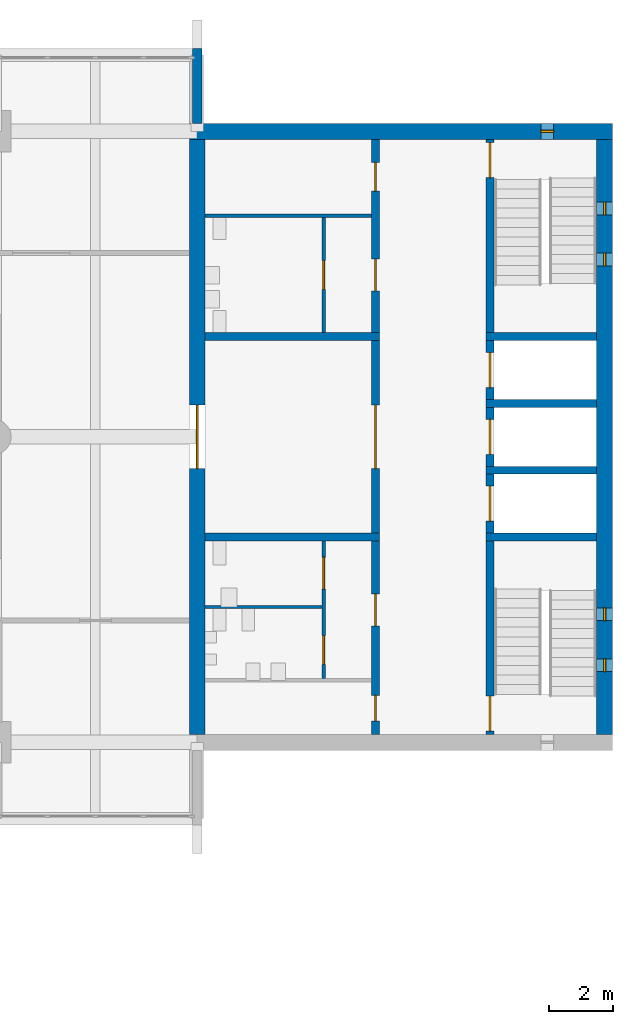
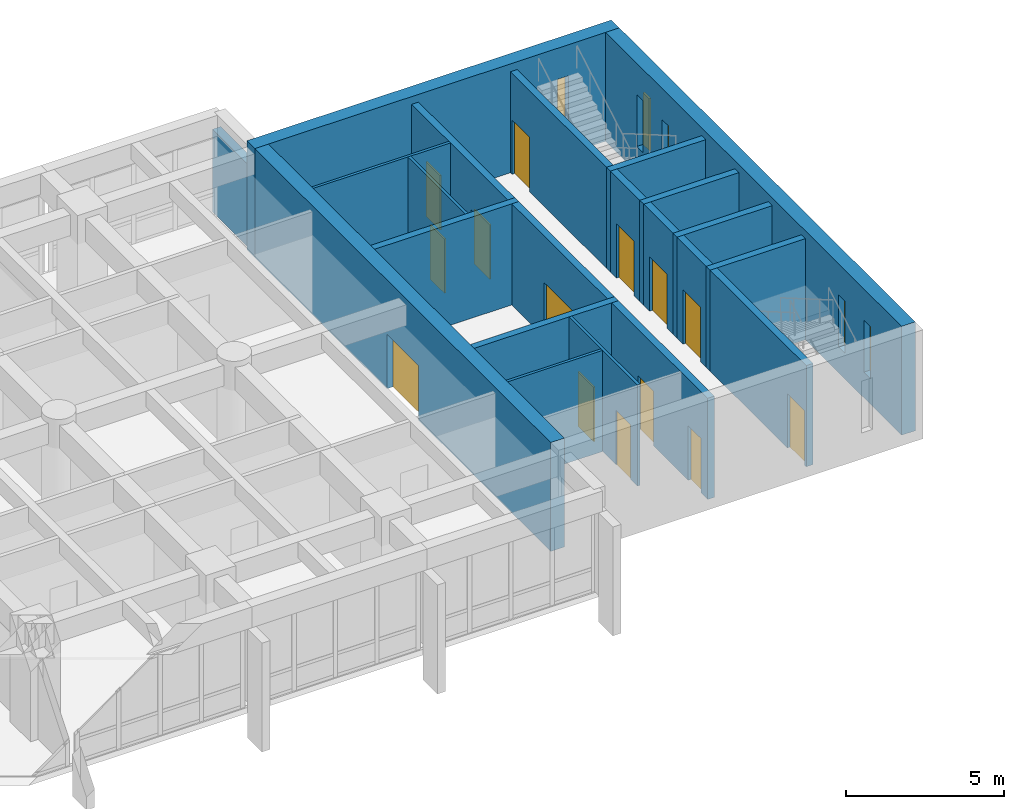
# One storey, part 13 of 18: 22 walls, 14 doors, 5 windows, 19 openings.
"""IFC4 building model written with IfcOpenShell, lengths in metres."""

from ifc_helpers import new_model, si_unit, direction, frame, frame_2d, origin, place, context, subcontext, project, spatial, rectangle, extrude, material, layer, layer_set, type_object, element, fill, save


model = new_model("IFC4")

# Units and contexts
model_context = context("Model", 3, precision=1e-05, world=origin(), true_north=direction((0.0, 1.0)))
body_context = subcontext(model_context, "Body", "Model", "MODEL_VIEW")
ifc_project = project(units=[si_unit("LENGTHUNIT", "METRE"), si_unit("AREAUNIT", "SQUARE_METRE"), si_unit("VOLUMEUNIT", "CUBIC_METRE"), si_unit("PLANEANGLEUNIT", "RADIAN"), si_unit("MASSUNIT", "GRAM", prefix="KILO")], contexts=[model_context])

# Site, building, storey
site_placement = place(None, origin())
site = spatial("IfcSite", under=ifc_project, at=site_placement, CompositionType="ELEMENT")
building_placement = place(site_placement, origin())
building = spatial("IfcBuilding", under=site, at=building_placement, Name="Fogon Plaza Fire Station and Headquarters Tower", CompositionType="ELEMENT")
storey_placement = place(building_placement, frame((0.0, 0.0, 12.89990234375)))
storey = spatial("IfcBuildingStorey", under=building, at=storey_placement, Name="L03", CompositionType="ELEMENT", Elevation=12.89990234375)

# Walls
ifc_material_1 = material(Name="Concrete C40", Category="concrete")
ifc_layer_1 = layer(ifc_material_1, 0.25)
ifc_layer_set_1 = layer_set([ifc_layer_1], Name="Concrete C40")
wall_type_1 = type_object("IfcWallType", Name="Core Wall RC 250", PredefinedType="SOLIDWALL", material=ifc_layer_set_1)
for number, where, z_axis, x_axis, name in (
    (1, (76.550048828125, 40.050048828125, 0.0), (0.0, 0.0, 1.0), (-1.0, 0.0, 0.0), "Core B shaft wall"),
    (2, (76.550048828125, 42.14990234375, 0.0), (0.0, 0.0, 1.0), (-1.0, 0.0, 0.0), "Core B shaft wall"),
    (3, (76.550048828125, 44.25, 0.0), (0.0, 0.0, 1.0), (-1.0, 0.0, 0.0), "Core B shaft wall"),
    (4, (76.550048828125, 46.35009765625, 0.0), (0.0, 0.0, 1.0), (-1.0, 0.0, 0.0), "Core B shaft wall"),
):
    element("IfcWall", number, at=place(storey_placement, frame(where, z_axis=z_axis, x_axis=x_axis)), inside=storey, type_object=wall_type_1, Name=name, PredefinedType="SOLIDWALL", context=body_context, shape_type="SweptSolid", body=[
        extrude(rectangle(XDim=3.47509765625, YDim=0.25, at=frame_2d((1.737548828125, 0.0))), origin(), (0.0, 0.0, 1.0), 3.900146484375),
    ])

# Wall, opening, door
wall_1_placement = place(storey_placement, frame((73.199951171875, 33.85009765625, 0.0), z_axis=(0.0, 0.0, 1.0), x_axis=(0.0, 1.0, 0.0)))
wall_1 = element("IfcWall", 5, at=wall_1_placement, inside=storey, type_object=wall_type_1, Name="Core B shaft wall", PredefinedType="SOLIDWALL", context=body_context, shape_type="SweptSolid", body=[
    extrude(rectangle(XDim=6.074951171875, YDim=0.25, at=frame_2d((3.03759765625, 0.0))), origin(), (0.0, 0.0, 1.0), 3.900146484375),
])
opening_1_placement = place(wall_1_placement, frame((0.10009765625, 0.0, 0.0)))
opening_1 = element("IfcOpeningElement", 6, at=opening_1_placement, cuts=wall_1, Name="Opening L03-D15", PredefinedType="OPENING", context=body_context, shape_type="SweptSolid", body=[
    extrude(rectangle(XDim=1.10009765625, YDim=2.10009765625, at=frame_2d((0.550048828125, 1.050048828125))), frame((0.0, 0.135009765625, 0.0), z_axis=(0.0, -1.0, 0.0), x_axis=(1.0, 0.0, 0.0)), (0.0, 0.0, 1.0), 0.27001953125),
])
ifc_material_2 = material(Name="Steel Fire Door Leaf", Category="steel")
door_type_1 = type_object("IfcDoorType", Name="Stair Door Single 1100x2100", OperationType="SINGLE_SWING_LEFT", PredefinedType="DOOR", material=ifc_material_2)
door_1_placement = place(opening_1_placement, frame((1.10009765625, 0.0, 0.0), z_axis=(0.0, 0.0, 1.0), x_axis=(-1.0, 0.0, 0.0)))
door_1 = element("IfcDoor", 7, at=door_1_placement, inside=storey, type_object=door_type_1, Name="Stair door ST3", OperationType="SINGLE_SWING_RIGHT", OverallHeight=2.10009765625, OverallWidth=1.10009765625, PredefinedType="DOOR", context=body_context, shape_type="SweptSolid", body=[
    extrude(rectangle(XDim=1.10009765625, YDim=2.10009765625, at=frame_2d((0.550048828125, 1.050048828125))), frame((0.0, 0.02490234375, 0.0), z_axis=(0.0, -1.0, 0.0), x_axis=(1.0, 0.0, 0.0)), (0.0, 0.0, 1.0), 0.050048828125),
])
fill(opening_1, door_1)

wall_2_placement = place(storey_placement, frame((73.199951171875, 40.175048828125, 0.0), z_axis=(0.0, 0.0, 1.0), x_axis=(0.0, 1.0, 0.0)))
wall_2 = element("IfcWall", 8, at=wall_2_placement, inside=storey, type_object=wall_type_1, Name="Core B shaft wall", PredefinedType="SOLIDWALL", context=body_context, shape_type="SweptSolid", body=[
    extrude(rectangle(XDim=1.849853515625, YDim=0.25, at=frame_2d((0.9248046875, 0.0))), origin(), (0.0, 0.0, 1.0), 3.900146484375),
])
opening_2_placement = place(wall_2_placement, frame((0.375, 0.0, 0.0)))
opening_2 = element("IfcOpeningElement", 9, at=opening_2_placement, cuts=wall_2, Name="Opening L03-D17", PredefinedType="OPENING", context=body_context, shape_type="SweptSolid", body=[
    extrude(rectangle(XDim=1.10009765625, YDim=2.10009765625, at=frame_2d((0.550048828125, 1.050048828125))), frame((0.0, 0.135009765625, 0.0), z_axis=(0.0, -1.0, 0.0), x_axis=(1.0, 0.0, 0.0)), (0.0, 0.0, 1.0), 0.27001953125),
])
ifc_material_3 = material(Name="Stainless Steel", Category="steel")
door_type_2 = type_object("IfcDoorType", Name="Lift Landing Door 1100x2100", OperationType="SLIDING_TO_LEFT", PredefinedType="DOOR", material=ifc_material_3)
door_2_placement = place(opening_2_placement, origin())
door_2 = element("IfcDoor", 10, at=door_2_placement, inside=storey, type_object=door_type_2, Name="Lift LP3 landing door", OperationType="SLIDING_TO_LEFT", OverallHeight=2.10009765625, OverallWidth=1.10009765625, PredefinedType="DOOR", context=body_context, shape_type="SweptSolid", body=[
    extrude(rectangle(XDim=1.10009765625, YDim=2.10009765625, at=frame_2d((0.550048828125, 1.050048828125))), frame((0.0, 0.02490234375, 0.0), z_axis=(0.0, -1.0, 0.0), x_axis=(1.0, 0.0, 0.0)), (0.0, 0.0, 1.0), 0.050048828125),
])
fill(opening_2, door_2)

wall_3_placement = place(storey_placement, frame((73.199951171875, 42.27490234375, 0.0), z_axis=(0.0, 0.0, 1.0), x_axis=(0.0, 1.0, 0.0)))
wall_3 = element("IfcWall", 11, at=wall_3_placement, inside=storey, type_object=wall_type_1, Name="Core B shaft wall", PredefinedType="SOLIDWALL", context=body_context, shape_type="SweptSolid", body=[
    extrude(rectangle(XDim=1.85009765625, YDim=0.25, at=frame_2d((0.925048828125, 0.0))), origin(), (0.0, 0.0, 1.0), 3.900146484375),
])
opening_3_placement = place(wall_3_placement, frame((0.375, 0.0, 0.0)))
opening_3 = element("IfcOpeningElement", 12, at=opening_3_placement, cuts=wall_3, Name="Opening L03-D18", PredefinedType="OPENING", context=body_context, shape_type="SweptSolid", body=[
    extrude(rectangle(XDim=1.10009765625, YDim=2.10009765625, at=frame_2d((0.550048828125, 1.050048828125))), frame((0.0, 0.135009765625, 0.0), z_axis=(0.0, -1.0, 0.0), x_axis=(1.0, 0.0, 0.0)), (0.0, 0.0, 1.0), 0.27001953125),
])
door_3_placement = place(opening_3_placement, origin())
door_3 = element("IfcDoor", 13, at=door_3_placement, inside=storey, type_object=door_type_2, Name="Lift LP4 landing door", OperationType="SLIDING_TO_LEFT", OverallHeight=2.10009765625, OverallWidth=1.10009765625, PredefinedType="DOOR", context=body_context, shape_type="SweptSolid", body=[
    extrude(rectangle(XDim=1.10009765625, YDim=2.10009765625, at=frame_2d((0.550048828125, 1.050048828125))), frame((0.0, 0.02490234375, 0.0), z_axis=(0.0, -1.0, 0.0), x_axis=(1.0, 0.0, 0.0)), (0.0, 0.0, 1.0), 0.050048828125),
])
fill(opening_3, door_3)

wall_4_placement = place(storey_placement, frame((73.199951171875, 44.375, 0.0), z_axis=(0.0, 0.0, 1.0), x_axis=(0.0, 1.0, 0.0)))
wall_4 = element("IfcWall", 14, at=wall_4_placement, inside=storey, type_object=wall_type_1, Name="Core B shaft wall", PredefinedType="SOLIDWALL", context=body_context, shape_type="SweptSolid", body=[
    extrude(rectangle(XDim=1.85009765625, YDim=0.25, at=frame_2d((0.925048828125, 0.0))), origin(), (0.0, 0.0, 1.0), 3.900146484375),
])
opening_4_placement = place(wall_4_placement, frame((0.375, 0.0, 0.0)))
opening_4 = element("IfcOpeningElement", 15, at=opening_4_placement, cuts=wall_4, Name="Opening L03-D19", PredefinedType="OPENING", context=body_context, shape_type="SweptSolid", body=[
    extrude(rectangle(XDim=1.10009765625, YDim=2.10009765625, at=frame_2d((0.550048828125, 1.050048828125))), frame((0.0, 0.135009765625, 0.0), z_axis=(0.0, -1.0, 0.0), x_axis=(1.0, 0.0, 0.0)), (0.0, 0.0, 1.0), 0.27001953125),
])
door_4_placement = place(opening_4_placement, origin())
door_4 = element("IfcDoor", 16, at=door_4_placement, inside=storey, type_object=door_type_2, Name="Lift FL2 landing door", OperationType="SLIDING_TO_LEFT", OverallHeight=2.10009765625, OverallWidth=1.10009765625, PredefinedType="DOOR", context=body_context, shape_type="SweptSolid", body=[
    extrude(rectangle(XDim=1.10009765625, YDim=2.10009765625, at=frame_2d((0.550048828125, 1.050048828125))), frame((0.0, 0.02490234375, 0.0), z_axis=(0.0, -1.0, 0.0), x_axis=(1.0, 0.0, 0.0)), (0.0, 0.0, 1.0), 0.050048828125),
])
fill(opening_4, door_4)

wall_5_placement = place(storey_placement, frame((73.199951171875, 46.47509765625, 0.0), z_axis=(0.0, 0.0, 1.0), x_axis=(0.0, 1.0, 0.0)))
wall_5 = element("IfcWall", 17, at=wall_5_placement, inside=storey, type_object=wall_type_1, Name="Core B shaft wall", PredefinedType="SOLIDWALL", context=body_context, shape_type="SweptSolid", body=[
    extrude(rectangle(XDim=6.074951171875, YDim=0.25, at=frame_2d((3.03759765625, 0.0))), origin(), (0.0, 0.0, 1.0), 3.900146484375),
])
opening_5_placement = place(wall_5_placement, frame((4.875, 0.0, 0.0)))
opening_5 = element("IfcOpeningElement", 18, at=opening_5_placement, cuts=wall_5, Name="Opening L03-D16", PredefinedType="OPENING", context=body_context, shape_type="SweptSolid", body=[
    extrude(rectangle(XDim=1.10009765625, YDim=2.10009765625, at=frame_2d((0.550048828125, 1.050048828125))), frame((0.0, 0.135009765625, 0.0), z_axis=(0.0, -1.0, 0.0), x_axis=(1.0, 0.0, 0.0)), (0.0, 0.0, 1.0), 0.27001953125),
])
door_5_placement = place(opening_5_placement, frame((1.10009765625, 0.0, 0.0), z_axis=(0.0, 0.0, 1.0), x_axis=(-1.0, 0.0, 0.0)))
door_5 = element("IfcDoor", 19, at=door_5_placement, inside=storey, type_object=door_type_1, Name="Stair door ST4", OperationType="SINGLE_SWING_LEFT", OverallHeight=2.10009765625, OverallWidth=1.10009765625, PredefinedType="DOOR", context=body_context, shape_type="SweptSolid", body=[
    extrude(rectangle(XDim=1.10009765625, YDim=2.10009765625, at=frame_2d((0.550048828125, 1.050048828125))), frame((0.0, 0.02490234375, 0.0), z_axis=(0.0, -1.0, 0.0), x_axis=(1.0, 0.0, 0.0)), (0.0, 0.0, 1.0), 0.050048828125),
])
fill(opening_5, door_5)

# Wall, openings, doors
wall_6_placement = place(storey_placement, frame((69.60009765625, 33.85009765625, 0.0), z_axis=(0.0, 0.0, 1.0), x_axis=(0.0, 1.0, 0.0)))
wall_6 = element("IfcWall", 20, at=wall_6_placement, inside=storey, type_object=wall_type_1, Name="Core B shaft wall", PredefinedType="SOLIDWALL", context=body_context, shape_type="SweptSolid", body=[
    extrude(rectangle(XDim=6.074951171875, YDim=0.25, at=frame_2d((3.03759765625, 0.0))), origin(), (0.0, 0.0, 1.0), 3.900146484375),
])
opening_6_placement = place(wall_6_placement, frame((0.425048828125, 0.0, 0.0)))
opening_6 = element("IfcOpeningElement", 21, at=opening_6_placement, cuts=wall_6, Name="Opening L03-D22", PredefinedType="OPENING", context=body_context, shape_type="SweptSolid", body=[
    extrude(rectangle(XDim=0.800048828125, YDim=2.10009765625, at=frame_2d((0.39990234375, 1.050048828125))), frame((0.0, 0.135009765625, 0.0), z_axis=(0.0, -1.0, 0.0), x_axis=(1.0, 0.0, 0.0)), (0.0, 0.0, 1.0), 0.27001953125),
])
opening_7_placement = place(wall_6_placement, frame((3.41259765625, 0.0, 0.0)))
opening_7 = element("IfcOpeningElement", 22, at=opening_7_placement, cuts=wall_6, Name="Opening L03-D23", PredefinedType="OPENING", context=body_context, shape_type="SweptSolid", body=[
    extrude(rectangle(XDim=1.0, YDim=2.10009765625, at=frame_2d((0.5, 1.050048828125))), frame((0.0, 0.135009765625, 0.0), z_axis=(0.0, -1.0, 0.0), x_axis=(1.0, 0.0, 0.0)), (0.0, 0.0, 1.0), 0.27001953125),
])
ifc_material_4 = material(Name="Timber Door Leaf", Category="wood")
door_type_3 = type_object("IfcDoorType", Name="Cleaner Store Single 800x2100", OperationType="SINGLE_SWING_LEFT", PredefinedType="DOOR", material=ifc_material_4)
door_6_placement = place(opening_6_placement, origin())
door_6 = element("IfcDoor", 23, at=door_6_placement, inside=storey, type_object=door_type_3, Name="Cleaner's store B door", OperationType="SINGLE_SWING_RIGHT", OverallHeight=2.10009765625, OverallWidth=0.800048828125, PredefinedType="DOOR", context=body_context, shape_type="SweptSolid", body=[
    extrude(rectangle(XDim=0.800048828125, YDim=2.10009765625, at=frame_2d((0.39990234375, 1.050048828125))), frame((0.0, 0.02490234375, 0.0), z_axis=(0.0, -1.0, 0.0), x_axis=(1.0, 0.0, 0.0)), (0.0, 0.0, 1.0), 0.050048828125),
])
fill(opening_6, door_6)
ifc_material_5 = material(Name="Timber fire door", Category="wood")
door_type_4 = type_object("IfcDoorType", Name="WC Lobby Single 1000x2100", OperationType="SINGLE_SWING_LEFT", PredefinedType="DOOR", material=ifc_material_5)
door_7_placement = place(opening_7_placement, origin())
door_7 = element("IfcDoor", 24, at=door_7_placement, inside=storey, type_object=door_type_4, Name="Men's WC lobby B door", OperationType="SINGLE_SWING_LEFT", OverallHeight=2.10009765625, OverallWidth=1.0, PredefinedType="DOOR", context=body_context, shape_type="SweptSolid", body=[
    extrude(rectangle(XDim=1.0, YDim=2.10009765625, at=frame_2d((0.5, 1.050048828125))), frame((0.0, 0.02490234375, 0.0), z_axis=(0.0, -1.0, 0.0), x_axis=(1.0, 0.0, 0.0)), (0.0, 0.0, 1.0), 0.050048828125),
])
fill(opening_7, door_7)

# Wall, opening, door
wall_7_placement = place(storey_placement, frame((69.60009765625, 40.175048828125, 0.0), z_axis=(0.0, 0.0, 1.0), x_axis=(0.0, 1.0, 0.0)))
wall_7 = element("IfcWall", 25, at=wall_7_placement, inside=storey, type_object=wall_type_1, Name="Core B shaft wall", PredefinedType="SOLIDWALL", context=body_context, shape_type="SweptSolid", body=[
    extrude(rectangle(XDim=6.050048828125, YDim=0.25, at=frame_2d((3.02490234375, 0.0))), origin(), (0.0, 0.0, 1.0), 3.900146484375),
])
opening_8_placement = place(wall_7_placement, frame((2.02490234375, 0.0, 0.0)))
opening_8 = element("IfcOpeningElement", 26, at=opening_8_placement, cuts=wall_7, Name="Opening L03-D20", PredefinedType="OPENING", context=body_context, shape_type="SweptSolid", body=[
    extrude(rectangle(XDim=2.0, YDim=2.10009765625, at=frame_2d((1.0, 1.050048828125))), frame((0.0, 0.135009765625, 0.0), z_axis=(0.0, -1.0, 0.0), x_axis=(1.0, 0.0, 0.0)), (0.0, 0.0, 1.0), 0.27001953125),
])
ifc_material_6 = material(Name="Steel Fire Door Leaf", Category="steel")
door_type_5 = type_object("IfcDoorType", Name="Vestibule Double 2000x2100", OperationType="DOUBLE_DOOR_SINGLE_SWING", PredefinedType="DOOR", material=ifc_material_6)
door_8_placement = place(opening_8_placement, origin())
door_8 = element("IfcDoor", 27, at=door_8_placement, inside=storey, type_object=door_type_5, Name="Vestibule B door", OperationType="DOUBLE_DOOR_SINGLE_SWING", OverallHeight=2.10009765625, OverallWidth=2.0, PredefinedType="DOOR", context=body_context, shape_type="SweptSolid", body=[
    extrude(rectangle(XDim=2.0, YDim=2.10009765625, at=frame_2d((1.0, 1.050048828125))), frame((0.0, 0.02490234375, 0.0), z_axis=(0.0, -1.0, 0.0), x_axis=(1.0, 0.0, 0.0)), (0.0, 0.0, 1.0), 0.050048828125),
])
fill(opening_8, door_8)

# Wall, openings, doors
wall_8_placement = place(storey_placement, frame((69.60009765625, 46.47509765625, 0.0), z_axis=(0.0, 0.0, 1.0), x_axis=(0.0, 1.0, 0.0)))
wall_8 = element("IfcWall", 28, at=wall_8_placement, inside=storey, type_object=wall_type_1, Name="Core B shaft wall", PredefinedType="SOLIDWALL", context=body_context, shape_type="SweptSolid", body=[
    extrude(rectangle(XDim=6.074951171875, YDim=0.25, at=frame_2d((3.03759765625, 0.0))), origin(), (0.0, 0.0, 1.0), 3.900146484375),
])
opening_9_placement = place(wall_8_placement, frame((1.3125, 0.0, 0.0)))
opening_9 = element("IfcOpeningElement", 29, at=opening_9_placement, cuts=wall_8, Name="Opening L03-D26", PredefinedType="OPENING", context=body_context, shape_type="SweptSolid", body=[
    extrude(rectangle(XDim=1.0, YDim=2.10009765625, at=frame_2d((0.5, 1.050048828125))), frame((0.0, 0.135009765625, 0.0), z_axis=(0.0, -1.0, 0.0), x_axis=(1.0, 0.0, 0.0)), (0.0, 0.0, 1.0), 0.27001953125),
])
opening_10_placement = place(wall_8_placement, frame((4.449951171875, 0.0, 0.0)))
opening_10 = element("IfcOpeningElement", 30, at=opening_10_placement, cuts=wall_8, Name="Opening L03-D28", PredefinedType="OPENING", context=body_context, shape_type="SweptSolid", body=[
    extrude(rectangle(XDim=0.89990234375, YDim=2.10009765625, at=frame_2d((0.449951171875, 1.050048828125))), frame((0.0, 0.135009765625, 0.0), z_axis=(0.0, -1.0, 0.0), x_axis=(1.0, 0.0, 0.0)), (0.0, 0.0, 1.0), 0.27001953125),
])
ifc_material_7 = material(Name="Steel Fire Door Leaf", Category="steel")
door_type_6 = type_object("IfcDoorType", Name="Riser Single 900x2100", OperationType="SINGLE_SWING_LEFT", PredefinedType="DOOR", material=ifc_material_7)
door_9_placement = place(opening_10_placement, origin())
door_9 = element("IfcDoor", 31, at=door_9_placement, inside=storey, type_object=door_type_6, Name="Riser room B door", OperationType="SINGLE_SWING_RIGHT", OverallHeight=2.10009765625, OverallWidth=0.89990234375, PredefinedType="DOOR", context=body_context, shape_type="SweptSolid", body=[
    extrude(rectangle(XDim=0.89990234375, YDim=2.10009765625, at=frame_2d((0.449951171875, 1.050048828125))), frame((0.0, 0.02490234375, 0.0), z_axis=(0.0, -1.0, 0.0), x_axis=(1.0, 0.0, 0.0)), (0.0, 0.0, 1.0), 0.050048828125),
])
fill(opening_10, door_9)
door_10_placement = place(opening_9_placement, origin())
door_10 = element("IfcDoor", 32, at=door_10_placement, inside=storey, type_object=door_type_4, Name="Women's WC lobby B door", OperationType="SINGLE_SWING_RIGHT", OverallHeight=2.10009765625, OverallWidth=1.0, PredefinedType="DOOR", context=body_context, shape_type="SweptSolid", body=[
    extrude(rectangle(XDim=1.0, YDim=2.10009765625, at=frame_2d((0.5, 1.050048828125))), frame((0.0, 0.02490234375, 0.0), z_axis=(0.0, -1.0, 0.0), x_axis=(1.0, 0.0, 0.0)), (0.0, 0.0, 1.0), 0.050048828125),
])
fill(opening_9, door_10)

# Walls
for number, where, z_axis, x_axis, name in (
    (33, (69.72509765625, 40.050048828125, 0.0), (0.0, 0.0, 1.0), (-1.0, 0.0, 0.0), "Core B shaft wall"),
    (34, (69.72509765625, 46.35009765625, 0.0), (0.0, 0.0, 1.0), (-1.0, 0.0, 0.0), "Core B shaft wall"),
):
    element("IfcWall", number, at=place(storey_placement, frame(where, z_axis=z_axis, x_axis=x_axis)), inside=storey, type_object=wall_type_1, Name=name, PredefinedType="SOLIDWALL", context=body_context, shape_type="SweptSolid", body=[
        extrude(rectangle(XDim=5.47509765625, YDim=0.25, at=frame_2d((2.737548828125, 0.0))), origin(), (0.0, 0.0, 1.0), 3.900146484375),
    ])
ifc_material_8 = material(Name="Concrete C40", Category="concrete")
ifc_layer_2 = layer(ifc_material_8, 0.300048828125)
ifc_layer_set_2 = layer_set([ifc_layer_2], Name="Concrete C40")
wall_type_2 = type_object("IfcWallType", Name="Fair-faced RC Return Panel 300", PredefinedType="SOLIDWALL", material=ifc_layer_set_2)
wall_9_placement = place(storey_placement, frame((64.0, 53.050048828125, 0.0), z_axis=(0.0, 0.0, 1.0), x_axis=(0.0, 1.0, 0.0)))
element("IfcWall", 35, at=wall_9_placement, inside=storey, type_object=wall_type_2, Name="Bar end return EN L03", PredefinedType="SOLIDWALL", context=body_context, shape_type="SweptSolid", body=[
    extrude(rectangle(XDim=2.349853515625, YDim=0.300048828125, at=frame_2d((1.1748046875, 0.0))), origin(), (0.0, 0.0, 1.0), 3.18017578125),
])

# Wall, openings, doors
ifc_material_9 = material(Name="Blockwork", Category="masonry")
ifc_layer_3 = layer(ifc_material_9, 0.10009765625)
ifc_layer_set_3 = layer_set([ifc_layer_3], Name="Blockwork")
wall_type_3 = type_object("IfcWallType", Name="Partition Blockwork 100", PredefinedType="PARTITIONING", material=ifc_layer_set_3)
wall_10_placement = place(storey_placement, frame((67.97509765625, 35.60009765625, 0.0), z_axis=(0.0, 0.0, 1.0), x_axis=(0.0, 1.0, 0.0)))
wall_10 = element("IfcWall", 36, at=wall_10_placement, inside=storey, type_object=wall_type_3, Name="WC block partition", PredefinedType="PARTITIONING", context=body_context, shape_type="SweptSolid", body=[
    extrude(rectangle(XDim=4.324951171875, YDim=0.10009765625, at=frame_2d((2.16259765625, 0.0))), origin(), (0.0, 0.0, 1.0), 3.900146484375),
])
opening_11_placement = place(wall_10_placement, frame((0.449951171875, 0.0, 0.0)))
opening_11 = element("IfcOpeningElement", 37, at=opening_11_placement, cuts=wall_10, Name="Opening L03-D24", PredefinedType="OPENING", context=body_context, shape_type="SweptSolid", body=[
    extrude(rectangle(XDim=0.89990234375, YDim=2.10009765625, at=frame_2d((0.449951171875, 1.050048828125))), frame((0.0, 0.06005859375, 0.0), z_axis=(0.0, -1.0, 0.0), x_axis=(1.0, 0.0, 0.0)), (0.0, 0.0, 1.0), 0.1201171875),
])
opening_12_placement = place(wall_10_placement, frame((2.8125, 0.0, 0.0)))
opening_12 = element("IfcOpeningElement", 38, at=opening_12_placement, cuts=wall_10, Name="Opening L03-D25", PredefinedType="OPENING", context=body_context, shape_type="SweptSolid", body=[
    extrude(rectangle(XDim=1.0, YDim=2.10009765625, at=frame_2d((0.5, 1.050048828125))), frame((0.0, 0.06005859375, 0.0), z_axis=(0.0, -1.0, 0.0), x_axis=(1.0, 0.0, 0.0)), (0.0, 0.0, 1.0), 0.1201171875),
])
ifc_material_10 = material(Name="Timber Door Leaf", Category="wood")
door_type_7 = type_object("IfcDoorType", Name="Accessible WC Single 1000x2100", OperationType="SINGLE_SWING_LEFT", PredefinedType="DOOR", material=ifc_material_10)
door_11_placement = place(opening_12_placement, origin())
door_11 = element("IfcDoor", 39, at=door_11_placement, inside=storey, type_object=door_type_7, Name="Accessible WC B door", OperationType="SINGLE_SWING_LEFT", OverallHeight=2.10009765625, OverallWidth=1.0, PredefinedType="DOOR", context=body_context, shape_type="SweptSolid", body=[
    extrude(rectangle(XDim=1.0, YDim=2.10009765625, at=frame_2d((0.5, 1.050048828125))), frame((0.0, 0.02490234375, 0.0), z_axis=(0.0, -1.0, 0.0), x_axis=(1.0, 0.0, 0.0)), (0.0, 0.0, 1.0), 0.050048828125),
])
fill(opening_12, door_11)
ifc_material_11 = material(Name="Timber Door Leaf", Category="wood")
door_type_8 = type_object("IfcDoorType", Name="WC Single 900x2100", OperationType="SINGLE_SWING_LEFT", PredefinedType="DOOR", material=ifc_material_11)
door_12_placement = place(opening_11_placement, origin())
door_12 = element("IfcDoor", 40, at=door_12_placement, inside=storey, type_object=door_type_8, Name="Men's WC B door", OperationType="SINGLE_SWING_LEFT", OverallHeight=2.10009765625, OverallWidth=0.89990234375, PredefinedType="DOOR", context=body_context, shape_type="SweptSolid", body=[
    extrude(rectangle(XDim=0.89990234375, YDim=2.10009765625, at=frame_2d((0.449951171875, 1.050048828125))), frame((0.0, 0.02490234375, 0.0), z_axis=(0.0, -1.0, 0.0), x_axis=(1.0, 0.0, 0.0)), (0.0, 0.0, 1.0), 0.050048828125),
])
fill(opening_11, door_12)

# Wall
wall_11_placement = place(storey_placement, frame((67.925048828125, 37.85009765625, 0.0), z_axis=(0.0, 0.0, 1.0), x_axis=(-1.0, 0.0, 0.0)))
element("IfcWall", 41, at=wall_11_placement, inside=storey, type_object=wall_type_3, Name="WC block partition", PredefinedType="PARTITIONING", context=body_context, shape_type="SweptSolid", body=[
    extrude(rectangle(XDim=3.675048828125, YDim=0.10009765625, at=frame_2d((1.83740234375, 0.0))), origin(), (0.0, 0.0, 1.0), 3.900146484375),
])

# Wall, opening, door
wall_12_placement = place(storey_placement, frame((67.97509765625, 46.47509765625, 0.0), z_axis=(0.0, 0.0, 1.0), x_axis=(0.0, 1.0, 0.0)))
wall_12 = element("IfcWall", 42, at=wall_12_placement, inside=storey, type_object=wall_type_3, Name="WC block partition", PredefinedType="PARTITIONING", context=body_context, shape_type="SweptSolid", body=[
    extrude(rectangle(XDim=3.625, YDim=0.10009765625, at=frame_2d((1.8125, 0.0))), origin(), (0.0, 0.0, 1.0), 3.900146484375),
])
opening_13_placement = place(wall_12_placement, frame((1.362548828125, 0.0, 0.0)))
opening_13 = element("IfcOpeningElement", 43, at=opening_13_placement, cuts=wall_12, Name="Opening L03-D27", PredefinedType="OPENING", context=body_context, shape_type="SweptSolid", body=[
    extrude(rectangle(XDim=0.89990234375, YDim=2.10009765625, at=frame_2d((0.449951171875, 1.050048828125))), frame((0.0, 0.06005859375, 0.0), z_axis=(0.0, -1.0, 0.0), x_axis=(1.0, 0.0, 0.0)), (0.0, 0.0, 1.0), 0.1201171875),
])
door_13_placement = place(opening_13_placement, origin())
door_13 = element("IfcDoor", 44, at=door_13_placement, inside=storey, type_object=door_type_8, Name="Women's WC B door", OperationType="SINGLE_SWING_LEFT", OverallHeight=2.10009765625, OverallWidth=0.89990234375, PredefinedType="DOOR", context=body_context, shape_type="SweptSolid", body=[
    extrude(rectangle(XDim=0.89990234375, YDim=2.10009765625, at=frame_2d((0.449951171875, 1.050048828125))), frame((0.0, 0.02490234375, 0.0), z_axis=(0.0, -1.0, 0.0), x_axis=(1.0, 0.0, 0.0)), (0.0, 0.0, 1.0), 0.050048828125),
])
fill(opening_13, door_13)

# Wall
ifc_material_12 = material(Name="Blockwork", Category="masonry")
ifc_layer_4 = layer(ifc_material_12, 0.10009765625)
ifc_layer_set_4 = layer_set([ifc_layer_4], Name="Blockwork")
wall_type_4 = type_object("IfcWallType", Name="Riser Partition Blockwork 100", PredefinedType="PARTITIONING", material=ifc_layer_set_4)
wall_13_placement = place(storey_placement, frame((69.47509765625, 50.14990234375, 0.0), z_axis=(0.0, 0.0, 1.0), x_axis=(-1.0, 0.0, 0.0)))
element("IfcWall", 45, at=wall_13_placement, inside=storey, type_object=wall_type_4, Name="Riser room partition", PredefinedType="PARTITIONING", context=body_context, shape_type="SweptSolid", body=[
    extrude(rectangle(XDim=5.22509765625, YDim=0.10009765625, at=frame_2d((2.612548828125, 0.0))), origin(), (0.0, 0.0, 1.0), 3.900146484375),
])

# Wall, opening, window
ifc_material_13 = material(Name="Concrete C40", Category="concrete")
ifc_layer_5 = layer(ifc_material_13, 0.5)
ifc_layer_set_5 = layer_set([ifc_layer_5], Name="Concrete C40")
wall_type_5 = type_object("IfcWallType", Name="Shear wall 500 SW50", PredefinedType="SHEAR", material=ifc_layer_set_5)
wall_14_placement = place(storey_placement, frame((63.75, 52.800048828125, 0.0), z_axis=(0.0, 0.0, 1.0), x_axis=(1.0, 0.0, 0.0)))
wall_14 = element("IfcWall", 46, at=wall_14_placement, inside=storey, type_object=wall_type_5, Name="wall-coreB-N-L03", PredefinedType="SHEAR", context=body_context, shape_type="SweptSolid", body=[
    extrude(rectangle(XDim=13.300048828125, YDim=0.5, at=frame_2d((6.64990234375, 0.0))), origin(), (0.0, 0.0, 1.0), 4.2001953125),
])
opening_14_placement = place(wall_14_placement, frame((11.050048828125, 0.0, 1.0)))
opening_14 = element("IfcOpeningElement", 47, at=opening_14_placement, cuts=wall_14, Name="Opening WS1", PredefinedType="OPENING", context=body_context, shape_type="SweptSolid", body=[
    extrude(rectangle(XDim=0.39990234375, YDim=2.0, at=frame_2d((0.199951171875, 1.0))), frame((0.0, 0.260009765625, 0.0), z_axis=(0.0, -1.0, 0.0), x_axis=(1.0, 0.0, 0.0)), (0.0, 0.0, 1.0), 0.52001953125),
])
ifc_material_14 = material(Name="Aluminium framed double glazing", Category="aluminium")
window_type = type_object("IfcWindowType", Name="Slit Window WS1 400x2000", PartitioningType="SINGLE_PANEL", PredefinedType="WINDOW", material=ifc_material_14)
window_1_placement = place(opening_14_placement, origin())
window_1 = element("IfcWindow", 48, at=window_1_placement, inside=storey, type_object=window_type, Name="Slit window B6 L03", OverallHeight=2.0, OverallWidth=0.39990234375, PartitioningType="SINGLE_PANEL", PredefinedType="WINDOW", context=body_context, shape_type="SweptSolid", body=[
    extrude(rectangle(XDim=0.39990234375, YDim=2.0, at=frame_2d((0.199951171875, 1.0))), frame((0.0, 0.030029296875, 0.0), z_axis=(0.0, -1.0, 0.0), x_axis=(1.0, 0.0, 0.0)), (0.0, 0.0, 1.0), 0.06005859375),
])
fill(opening_14, window_1)

# Wall, openings, windows
wall_15_placement = place(storey_placement, frame((76.800048828125, 33.85009765625, 0.0), z_axis=(0.0, 0.0, 1.0), x_axis=(0.0, 1.0, 0.0)))
wall_15 = element("IfcWall", 49, at=wall_15_placement, inside=storey, type_object=wall_type_5, Name="wall-coreB-E-L03", PredefinedType="SHEAR", context=body_context, shape_type="SweptSolid", body=[
    extrude(rectangle(XDim=18.699951171875, YDim=0.5, at=frame_2d((9.35009765625, 0.0))), origin(), (0.0, 0.0, 1.0), 4.2001953125),
])
opening_15_placement = place(wall_15_placement, frame((1.97509765625, 0.0, 1.0)))
opening_15 = element("IfcOpeningElement", 50, at=opening_15_placement, cuts=wall_15, Name="Opening WS1", PredefinedType="OPENING", context=body_context, shape_type="SweptSolid", body=[
    extrude(rectangle(XDim=0.39990234375, YDim=2.0, at=frame_2d((0.199951171875, 1.0))), frame((0.0, 0.260009765625, 0.0), z_axis=(0.0, -1.0, 0.0), x_axis=(1.0, 0.0, 0.0)), (0.0, 0.0, 1.0), 0.52001953125),
])
opening_16_placement = place(wall_15_placement, frame((3.574951171875, 0.0, 1.0)))
opening_16 = element("IfcOpeningElement", 51, at=opening_16_placement, cuts=wall_15, Name="Opening WS1", PredefinedType="OPENING", context=body_context, shape_type="SweptSolid", body=[
    extrude(rectangle(XDim=0.39990234375, YDim=2.0, at=frame_2d((0.199951171875, 1.0))), frame((0.0, 0.260009765625, 0.0), z_axis=(0.0, -1.0, 0.0), x_axis=(1.0, 0.0, 0.0)), (0.0, 0.0, 1.0), 0.52001953125),
])
opening_17_placement = place(wall_15_placement, frame((14.72509765625, 0.0, 1.0)))
opening_17 = element("IfcOpeningElement", 52, at=opening_17_placement, cuts=wall_15, Name="Opening WS1", PredefinedType="OPENING", context=body_context, shape_type="SweptSolid", body=[
    extrude(rectangle(XDim=0.39990234375, YDim=2.0, at=frame_2d((0.199951171875, 1.0))), frame((0.0, 0.260009765625, 0.0), z_axis=(0.0, -1.0, 0.0), x_axis=(1.0, 0.0, 0.0)), (0.0, 0.0, 1.0), 0.52001953125),
])
opening_18_placement = place(wall_15_placement, frame((16.324951171875, 0.0, 1.0)))
opening_18 = element("IfcOpeningElement", 53, at=opening_18_placement, cuts=wall_15, Name="Opening WS1", PredefinedType="OPENING", context=body_context, shape_type="SweptSolid", body=[
    extrude(rectangle(XDim=0.39990234375, YDim=2.0, at=frame_2d((0.199951171875, 1.0))), frame((0.0, 0.260009765625, 0.0), z_axis=(0.0, -1.0, 0.0), x_axis=(1.0, 0.0, 0.0)), (0.0, 0.0, 1.0), 0.52001953125),
])
window_2_placement = place(opening_15_placement, origin())
window_2 = element("IfcWindow", 54, at=window_2_placement, inside=storey, type_object=window_type, Name="Slit window B1 L03", OverallHeight=2.0, OverallWidth=0.39990234375, PartitioningType="SINGLE_PANEL", PredefinedType="WINDOW", context=body_context, shape_type="SweptSolid", body=[
    extrude(rectangle(XDim=0.39990234375, YDim=2.0, at=frame_2d((0.199951171875, 1.0))), frame((0.0, 0.030029296875, 0.0), z_axis=(0.0, -1.0, 0.0), x_axis=(1.0, 0.0, 0.0)), (0.0, 0.0, 1.0), 0.06005859375),
])
fill(opening_15, window_2)
window_3_placement = place(opening_16_placement, origin())
window_3 = element("IfcWindow", 55, at=window_3_placement, inside=storey, type_object=window_type, Name="Slit window B2 L03", OverallHeight=2.0, OverallWidth=0.39990234375, PartitioningType="SINGLE_PANEL", PredefinedType="WINDOW", context=body_context, shape_type="SweptSolid", body=[
    extrude(rectangle(XDim=0.39990234375, YDim=2.0, at=frame_2d((0.199951171875, 1.0))), frame((0.0, 0.030029296875, 0.0), z_axis=(0.0, -1.0, 0.0), x_axis=(1.0, 0.0, 0.0)), (0.0, 0.0, 1.0), 0.06005859375),
])
fill(opening_16, window_3)
window_4_placement = place(opening_17_placement, origin())
window_4 = element("IfcWindow", 56, at=window_4_placement, inside=storey, type_object=window_type, Name="Slit window B3 L03", OverallHeight=2.0, OverallWidth=0.39990234375, PartitioningType="SINGLE_PANEL", PredefinedType="WINDOW", context=body_context, shape_type="SweptSolid", body=[
    extrude(rectangle(XDim=0.39990234375, YDim=2.0, at=frame_2d((0.199951171875, 1.0))), frame((0.0, 0.030029296875, 0.0), z_axis=(0.0, -1.0, 0.0), x_axis=(1.0, 0.0, 0.0)), (0.0, 0.0, 1.0), 0.06005859375),
])
fill(opening_17, window_4)
window_5_placement = place(opening_18_placement, origin())
window_5 = element("IfcWindow", 57, at=window_5_placement, inside=storey, type_object=window_type, Name="Slit window B4 L03", OverallHeight=2.0, OverallWidth=0.39990234375, PartitioningType="SINGLE_PANEL", PredefinedType="WINDOW", context=body_context, shape_type="SweptSolid", body=[
    extrude(rectangle(XDim=0.39990234375, YDim=2.0, at=frame_2d((0.199951171875, 1.0))), frame((0.0, 0.030029296875, 0.0), z_axis=(0.0, -1.0, 0.0), x_axis=(1.0, 0.0, 0.0)), (0.0, 0.0, 1.0), 0.06005859375),
])
fill(opening_18, window_5)

# Wall, opening, door
wall_16_placement = place(storey_placement, frame((64.0, 33.85009765625, 0.0), z_axis=(0.0, 0.0, 1.0), x_axis=(0.0, 1.0, 0.0)))
wall_16 = element("IfcWall", 58, at=wall_16_placement, inside=storey, type_object=wall_type_5, Name="wall-coreB-W-L03", PredefinedType="SHEAR", context=body_context, shape_type="SweptSolid", body=[
    extrude(rectangle(XDim=18.699951171875, YDim=0.5, at=frame_2d((9.35009765625, 0.0))), origin(), (0.0, 0.0, 1.0), 4.2001953125),
])
opening_19_placement = place(wall_16_placement, frame((8.35009765625, 0.0, 0.0)))
opening_19 = element("IfcOpeningElement", 59, at=opening_19_placement, cuts=wall_16, Name="Opening L03-D21", PredefinedType="OPENING", context=body_context, shape_type="SweptSolid", body=[
    extrude(rectangle(XDim=2.0, YDim=2.10009765625, at=frame_2d((1.0, 1.050048828125))), frame((0.0, 0.260009765625, 0.0), z_axis=(0.0, -1.0, 0.0), x_axis=(1.0, 0.0, 0.0)), (0.0, 0.0, 1.0), 0.52001953125),
])
door_14_placement = place(opening_19_placement, frame((2.0, 0.0, 0.0), z_axis=(0.0, 0.0, 1.0), x_axis=(-1.0, 0.0, 0.0)))
door_14 = element("IfcDoor", 60, at=door_14_placement, inside=storey, type_object=door_type_5, Name="Vestibule B door to the office zone", OperationType="DOUBLE_DOOR_SINGLE_SWING", OverallHeight=2.10009765625, OverallWidth=2.0, PredefinedType="DOOR", context=body_context, shape_type="SweptSolid", body=[
    extrude(rectangle(XDim=2.0, YDim=2.10009765625, at=frame_2d((1.0, 1.050048828125))), frame((0.0, 0.02490234375, 0.0), z_axis=(0.0, -1.0, 0.0), x_axis=(1.0, 0.0, 0.0)), (0.0, 0.0, 1.0), 0.050048828125),
])
fill(opening_19, door_14)

save(model, "model.ifc")
